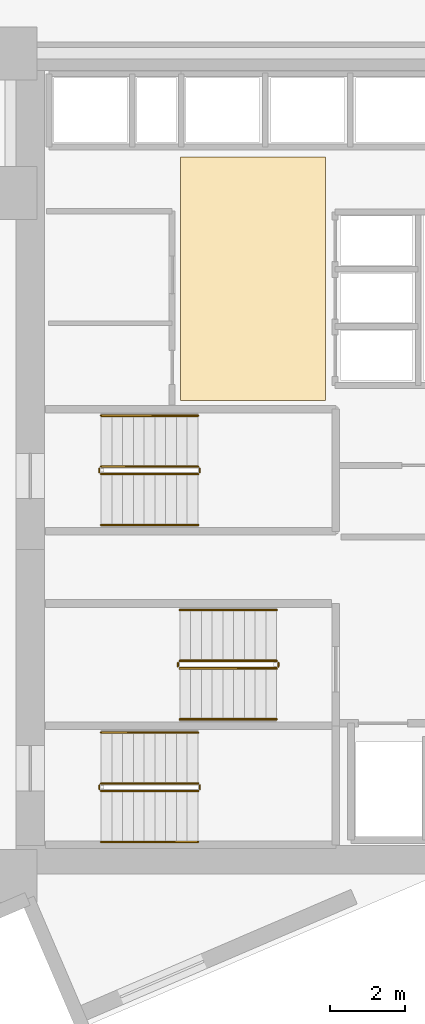
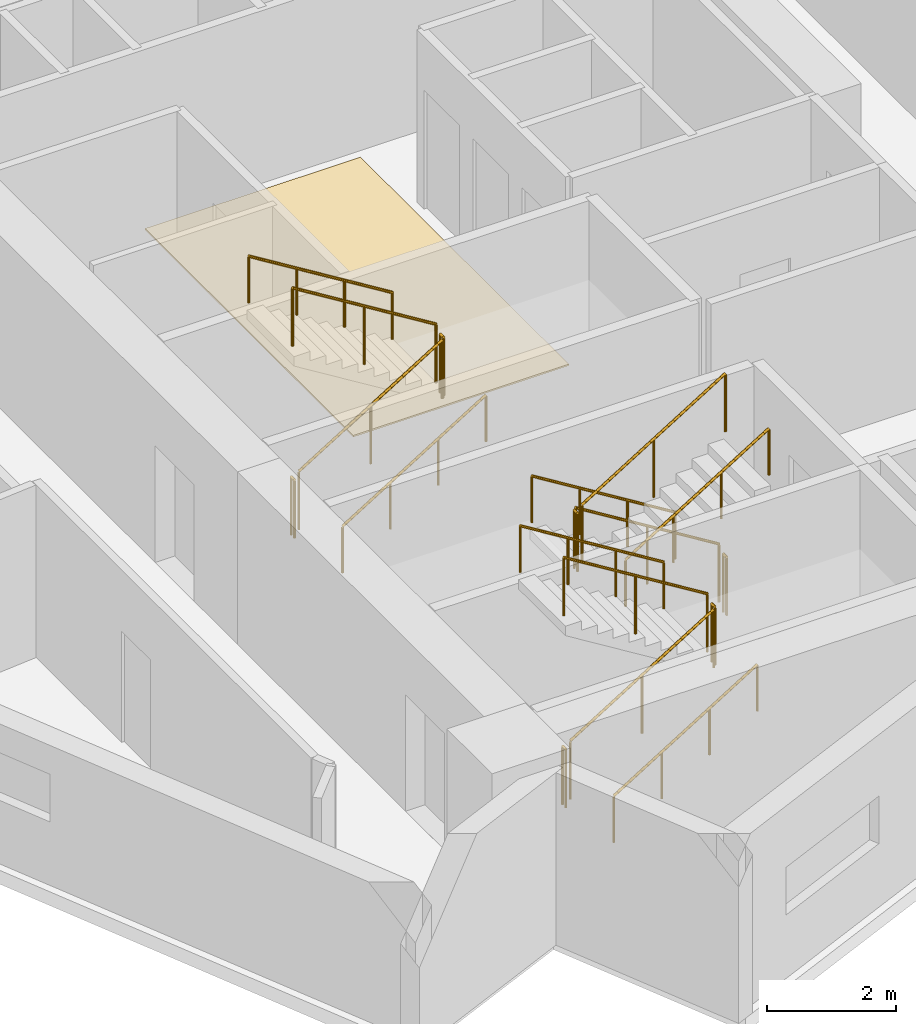
# One storey, part 13 of 14: 18 railings, 1 covering.
"""IFC4 building model written with IfcOpenShell, lengths in metres."""

from ifc_helpers import new_model, si_unit, direction, frame, origin, origin_2d, place, context, subcontext, project, spatial, polyline, circle, outline, extrude, material, layer, layer_set, type_object, element, save


model = new_model("IFC4")

# Units and contexts
model_context = context("Model", 3, precision=1e-05, world=origin(), true_north=direction((0.0, 1.0)))
body_context = subcontext(model_context, "Body", "Model", "MODEL_VIEW")
ifc_project = project(units=[si_unit("LENGTHUNIT", "METRE"), si_unit("AREAUNIT", "SQUARE_METRE"), si_unit("VOLUMEUNIT", "CUBIC_METRE"), si_unit("PLANEANGLEUNIT", "RADIAN"), si_unit("MASSUNIT", "GRAM", prefix="KILO")], contexts=[model_context])

# Site, building, storey
site_placement = place(None, origin())
site = spatial("IfcSite", under=ifc_project, at=site_placement, CompositionType="ELEMENT")
building_placement = place(site_placement, origin())
building = spatial("IfcBuilding", under=site, at=building_placement, Name="Narakoshi Arena Tower", CompositionType="ELEMENT")
storey_placement = place(building_placement, frame((0.0, 0.0, 179.10009765625)))
storey = spatial("IfcBuildingStorey", under=building, at=storey_placement, Name="L48", CompositionType="ELEMENT", Elevation=179.10009765625)

# Covering
ifc_material_1 = material(Name="Honed granite stone paving", Category="masonry")
ifc_layer = layer(ifc_material_1, 0.030029296875)
ifc_layer_set = layer_set([ifc_layer], Name="Honed granite stone paving")
covering_type = type_object("IfcCoveringType", Name="COV-FLR-ST30", PredefinedType="FLOORING", material=ifc_layer_set)
covering_placement = place(storey_placement, origin())
element("IfcCovering", 1, at=covering_placement, inside=storey, type_object=covering_type, Name="L48 Lift Lobby Granite Flooring", PredefinedType="FLOORING", context=body_context, shape_type="SweptSolid", body=[
    extrude(outline(polyline([(76.5, 47.300048828125), (80.35009765625, 47.300048828125), (80.35009765625, 53.75), (76.5, 53.75), (76.5, 47.300048828125)])), origin(), (0.0, 0.0, 1.0), 0.02978515625),
])

# Railings
ifc_material_2 = material(Name="Clear low-iron laminated structural glass", Category="glass")
railing_type_1 = type_object("IfcRailingType", Name="RL-BAL-1100", PredefinedType="BALUSTRADE", material=ifc_material_2)
railing_1_placement = place(storey_placement, frame((74.39990234375, 36.949951171875, 0.17578125)))
element("IfcRailing", 2, at=railing_1_placement, inside=storey, type_object=railing_type_1, Name="L48 ST1 stair guard 1", PredefinedType="BALUSTRADE", context=body_context, shape_type="SweptSolid", body=[
    extrude(circle(Radius=0.02392578125, at=origin_2d()), frame((0.0, 0.0, 1.09619140625), z_axis=(0.850820357671, 0.0, 0.52545667659), x_axis=(0.0, 1.0, 0.0)), (0.0, 0.0, 1.0), 3.014892578125),
    extrude(circle(Radius=0.02099609375, at=origin_2d()), origin(), (0.0, 0.0, 1.0), 1.072021484375),
    extrude(circle(Radius=0.02099609375, at=origin_2d()), frame((1.28271484375, 0.0, 0.7919921875)), (0.0, 0.0, 1.0), 1.072021484375),
    extrude(circle(Radius=0.02099609375, at=origin_2d()), frame((2.565185546875, 0.0, 1.584228515625)), (0.0, 0.0, 1.0), 1.072021484375),
])
railing_2_placement = place(storey_placement, frame((77.014892578125, 37.0, 1.760009765625)))
element("IfcRailing", 3, at=railing_2_placement, inside=storey, type_object=railing_type_1, Name="L48 ST1 stair guard 2", PredefinedType="BALUSTRADE", context=body_context, shape_type="SweptSolid", body=[
    extrude(circle(Radius=0.02392578125, at=origin_2d()), frame((0.0, 0.0, 1.09619140625), z_axis=(0.0, 1.0, 0.0), x_axis=(-1.0, 0.0, 0.0)), (0.0, 0.0, 1.0), 0.10009765625),
    extrude(circle(Radius=0.02099609375, at=origin_2d()), origin(), (0.0, 0.0, 1.0), 1.072021484375),
    extrude(circle(Radius=0.02099609375, at=origin_2d()), frame((0.0, 0.10009765625, 0.0)), (0.0, 0.0, 1.0), 1.072021484375),
])
railing_3_placement = place(storey_placement, frame((76.965087890625, 37.14990234375, 1.935791015625)))
element("IfcRailing", 4, at=railing_3_placement, inside=storey, type_object=railing_type_1, Name="L48 ST1 stair guard 3", PredefinedType="BALUSTRADE", context=body_context, shape_type="SweptSolid", body=[
    extrude(circle(Radius=0.02392578125, at=origin_2d()), frame((0.0, 0.0, 1.09619140625), z_axis=(-0.850820357671, 0.0, 0.52545667659), x_axis=(0.0, -1.0, 0.0)), (0.0, 0.0, 1.0), 3.014892578125),
    extrude(circle(Radius=0.02099609375, at=origin_2d()), origin(), (0.0, 0.0, 1.0), 1.072021484375),
    extrude(circle(Radius=0.02099609375, at=origin_2d()), frame((-1.28271484375, 0.0, 0.7919921875)), (0.0, 0.0, 1.0), 1.072021484375),
    extrude(circle(Radius=0.02099609375, at=origin_2d()), frame((-2.565185546875, 0.0, 1.584228515625)), (0.0, 0.0, 1.0), 1.072021484375),
])
railing_4_placement = place(storey_placement, frame((74.35009765625, 37.0, 0.0)))
element("IfcRailing", 5, at=railing_4_placement, inside=storey, type_object=railing_type_1, Name="L48 ST1 stair guard 4", PredefinedType="BALUSTRADE", context=body_context, shape_type="SweptSolid", body=[
    extrude(circle(Radius=0.02392578125, at=origin_2d()), frame((0.0, 0.0, 1.09619140625), z_axis=(0.0, 1.0, 0.0), x_axis=(-1.0, 0.0, 0.0)), (0.0, 0.0, 1.0), 0.10009765625),
    extrude(circle(Radius=0.02099609375, at=origin_2d()), origin(), (0.0, 0.0, 1.0), 1.072021484375),
    extrude(circle(Radius=0.02099609375, at=origin_2d()), frame((0.0, 0.10009765625, 0.0)), (0.0, 0.0, 1.0), 1.072021484375),
])
railing_5_placement = place(storey_placement, frame((79.050048828125, 40.39990234375, 0.17578125)))
element("IfcRailing", 6, at=railing_5_placement, inside=storey, type_object=railing_type_1, Name="L48 ST2 stair guard 1", PredefinedType="BALUSTRADE", context=body_context, shape_type="SweptSolid", body=[
    extrude(circle(Radius=0.02392578125, at=origin_2d()), frame((0.0, 0.0, 1.09619140625), z_axis=(-0.850797997359, 0.0, 0.525492880722), x_axis=(0.0, -1.0, 0.0)), (0.0, 0.0, 1.0), 3.0146484375),
    extrude(circle(Radius=0.02099609375, at=origin_2d()), origin(), (0.0, 0.0, 1.0), 1.072021484375),
    extrude(circle(Radius=0.02099609375, at=origin_2d()), frame((-1.282470703125, 0.0, 0.7919921875)), (0.0, 0.0, 1.0), 1.072021484375),
    extrude(circle(Radius=0.02099609375, at=origin_2d()), frame((-2.56494140625, 0.0, 1.584228515625)), (0.0, 0.0, 1.0), 1.072021484375),
])
railing_6_placement = place(storey_placement, frame((76.43505859375, 40.35009765625, 1.760009765625)))
element("IfcRailing", 7, at=railing_6_placement, inside=storey, type_object=railing_type_1, Name="L48 ST2 stair guard 2", PredefinedType="BALUSTRADE", context=body_context, shape_type="SweptSolid", body=[
    extrude(circle(Radius=0.02392578125, at=origin_2d()), frame((0.0, 0.0, 1.09619140625), z_axis=(0.0, -1.0, 0.0), x_axis=(1.0, 0.0, 0.0)), (0.0, 0.0, 1.0), 0.10009765625),
    extrude(circle(Radius=0.02099609375, at=origin_2d()), origin(), (0.0, 0.0, 1.0), 1.072021484375),
    extrude(circle(Radius=0.02099609375, at=origin_2d()), frame((0.0, -0.10009765625, 0.0)), (0.0, 0.0, 1.0), 1.072021484375),
])
railing_7_placement = place(storey_placement, frame((76.485107421875, 40.199951171875, 1.935791015625)))
element("IfcRailing", 8, at=railing_7_placement, inside=storey, type_object=railing_type_1, Name="L48 ST2 stair guard 3", PredefinedType="BALUSTRADE", context=body_context, shape_type="SweptSolid", body=[
    extrude(circle(Radius=0.02392578125, at=origin_2d()), frame((0.0, 0.0, 1.09619140625), z_axis=(0.850797997359, 0.0, 0.525492880722), x_axis=(0.0, 1.0, 0.0)), (0.0, 0.0, 1.0), 3.0146484375),
    extrude(circle(Radius=0.02099609375, at=origin_2d()), origin(), (0.0, 0.0, 1.0), 1.072021484375),
    extrude(circle(Radius=0.02099609375, at=origin_2d()), frame((1.282470703125, 0.0, 0.7919921875)), (0.0, 0.0, 1.0), 1.072021484375),
    extrude(circle(Radius=0.02099609375, at=origin_2d()), frame((2.56494140625, 0.0, 1.584228515625)), (0.0, 0.0, 1.0), 1.072021484375),
])
railing_8_placement = place(storey_placement, frame((79.10009765625, 40.35009765625, 0.0)))
element("IfcRailing", 9, at=railing_8_placement, inside=storey, type_object=railing_type_1, Name="L48 ST2 stair guard 4", PredefinedType="BALUSTRADE", context=body_context, shape_type="SweptSolid", body=[
    extrude(circle(Radius=0.02392578125, at=origin_2d()), frame((0.0, 0.0, 1.09619140625), z_axis=(0.0, -1.0, 0.0), x_axis=(1.0, 0.0, 0.0)), (0.0, 0.0, 1.0), 0.10009765625),
    extrude(circle(Radius=0.02099609375, at=origin_2d()), origin(), (0.0, 0.0, 1.0), 1.072021484375),
    extrude(circle(Radius=0.02099609375, at=origin_2d()), frame((0.0, -0.10009765625, 0.0)), (0.0, 0.0, 1.0), 1.072021484375),
])
railing_9_placement = place(storey_placement, frame((74.39990234375, 45.35009765625, 0.17578125)))
element("IfcRailing", 10, at=railing_9_placement, inside=storey, type_object=railing_type_1, Name="L48 ST3 stair guard 1", PredefinedType="BALUSTRADE", context=body_context, shape_type="SweptSolid", body=[
    extrude(circle(Radius=0.02392578125, at=origin_2d()), frame((0.0, 0.0, 1.09619140625), z_axis=(0.850820357671, 0.0, 0.52545667659), x_axis=(0.0, 1.0, 0.0)), (0.0, 0.0, 1.0), 3.014892578125),
    extrude(circle(Radius=0.02099609375, at=origin_2d()), origin(), (0.0, 0.0, 1.0), 1.072021484375),
    extrude(circle(Radius=0.02099609375, at=origin_2d()), frame((1.28271484375, 0.0, 0.7919921875)), (0.0, 0.0, 1.0), 1.072021484375),
    extrude(circle(Radius=0.02099609375, at=origin_2d()), frame((2.565185546875, 0.0, 1.584228515625)), (0.0, 0.0, 1.0), 1.072021484375),
])
railing_10_placement = place(storey_placement, frame((77.014892578125, 45.39990234375, 1.760009765625)))
element("IfcRailing", 11, at=railing_10_placement, inside=storey, type_object=railing_type_1, Name="L48 ST3 stair guard 2", PredefinedType="BALUSTRADE", context=body_context, shape_type="SweptSolid", body=[
    extrude(circle(Radius=0.02392578125, at=origin_2d()), frame((0.0, 0.0, 1.09619140625), z_axis=(0.0, 1.0, 0.0), x_axis=(-1.0, 0.0, 0.0)), (0.0, 0.0, 1.0), 0.10009765625),
    extrude(circle(Radius=0.02099609375, at=origin_2d()), origin(), (0.0, 0.0, 1.0), 1.072021484375),
    extrude(circle(Radius=0.02099609375, at=origin_2d()), frame((0.0, 0.10009765625, 0.0)), (0.0, 0.0, 1.0), 1.072021484375),
])
railing_11_placement = place(storey_placement, frame((76.965087890625, 45.550048828125, 1.935791015625)))
element("IfcRailing", 12, at=railing_11_placement, inside=storey, type_object=railing_type_1, Name="L48 ST3 stair guard 3", PredefinedType="BALUSTRADE", context=body_context, shape_type="SweptSolid", body=[
    extrude(circle(Radius=0.02392578125, at=origin_2d()), frame((0.0, 0.0, 1.09619140625), z_axis=(-0.850820357671, 0.0, 0.52545667659), x_axis=(0.0, -1.0, 0.0)), (0.0, 0.0, 1.0), 3.014892578125),
    extrude(circle(Radius=0.02099609375, at=origin_2d()), origin(), (0.0, 0.0, 1.0), 1.072021484375),
    extrude(circle(Radius=0.02099609375, at=origin_2d()), frame((-1.28271484375, 0.0, 0.7919921875)), (0.0, 0.0, 1.0), 1.072021484375),
    extrude(circle(Radius=0.02099609375, at=origin_2d()), frame((-2.565185546875, 0.0, 1.584228515625)), (0.0, 0.0, 1.0), 1.072021484375),
])
railing_12_placement = place(storey_placement, frame((74.35009765625, 45.39990234375, 0.0)))
element("IfcRailing", 13, at=railing_12_placement, inside=storey, type_object=railing_type_1, Name="L48 ST3 stair guard 4", PredefinedType="BALUSTRADE", context=body_context, shape_type="SweptSolid", body=[
    extrude(circle(Radius=0.02392578125, at=origin_2d()), frame((0.0, 0.0, 1.09619140625), z_axis=(0.0, 1.0, 0.0), x_axis=(-1.0, 0.0, 0.0)), (0.0, 0.0, 1.0), 0.10009765625),
    extrude(circle(Radius=0.02099609375, at=origin_2d()), origin(), (0.0, 0.0, 1.0), 1.072021484375),
    extrude(circle(Radius=0.02099609375, at=origin_2d()), frame((0.0, 0.10009765625, 0.0)), (0.0, 0.0, 1.0), 1.072021484375),
])
ifc_material_3 = material(Name="Brushed bronze stainless steel", Category="steel")
railing_type_2 = type_object("IfcRailingType", Name="RL-HND-900", PredefinedType="HANDRAIL", material=ifc_material_3)
railing_13_placement = place(storey_placement, frame((74.39990234375, 35.60009765625, 0.17578125)))
element("IfcRailing", 14, at=railing_13_placement, inside=storey, type_object=railing_type_2, Name="L48 ST1 stair handrail 1", PredefinedType="HANDRAIL", context=body_context, shape_type="SweptSolid", body=[
    extrude(circle(Radius=0.02392578125, at=origin_2d()), frame((0.0, 0.0, 0.8759765625), z_axis=(0.850820357671, 0.0, 0.52545667659), x_axis=(0.0, 1.0, 0.0)), (0.0, 0.0, 1.0), 3.014892578125),
    extrude(circle(Radius=0.02099609375, at=origin_2d()), origin(), (0.0, 0.0, 1.0), 0.851806640625),
    extrude(circle(Radius=0.02099609375, at=origin_2d()), frame((0.85498046875, 0.0, 0.528076171875)), (0.0, 0.0, 1.0), 0.851806640625),
    extrude(circle(Radius=0.02099609375, at=origin_2d()), frame((1.710205078125, 0.0, 1.05615234375)), (0.0, 0.0, 1.0), 0.851806640625),
    extrude(circle(Radius=0.02099609375, at=origin_2d()), frame((2.565185546875, 0.0, 1.584228515625)), (0.0, 0.0, 1.0), 0.851806640625),
])
railing_14_placement = place(storey_placement, frame((76.965087890625, 38.5, 1.935791015625)))
element("IfcRailing", 15, at=railing_14_placement, inside=storey, type_object=railing_type_2, Name="L48 ST1 stair handrail 2", PredefinedType="HANDRAIL", context=body_context, shape_type="SweptSolid", body=[
    extrude(circle(Radius=0.02392578125, at=origin_2d()), frame((0.0, 0.0, 0.8759765625), z_axis=(-0.850820357671, 0.0, 0.52545667659), x_axis=(0.0, -1.0, 0.0)), (0.0, 0.0, 1.0), 3.014892578125),
    extrude(circle(Radius=0.02099609375, at=origin_2d()), origin(), (0.0, 0.0, 1.0), 0.851806640625),
    extrude(circle(Radius=0.02099609375, at=origin_2d()), frame((-0.85498046875, 0.0, 0.528076171875)), (0.0, 0.0, 1.0), 0.851806640625),
    extrude(circle(Radius=0.02099609375, at=origin_2d()), frame((-1.710205078125, 0.0, 1.05615234375)), (0.0, 0.0, 1.0), 0.851806640625),
    extrude(circle(Radius=0.02099609375, at=origin_2d()), frame((-2.565185546875, 0.0, 1.584228515625)), (0.0, 0.0, 1.0), 0.851806640625),
])
railing_15_placement = place(storey_placement, frame((79.050048828125, 41.75, 0.17578125)))
element("IfcRailing", 16, at=railing_15_placement, inside=storey, type_object=railing_type_2, Name="L48 ST2 stair handrail 1", PredefinedType="HANDRAIL", context=body_context, shape_type="SweptSolid", body=[
    extrude(circle(Radius=0.02392578125, at=origin_2d()), frame((0.0, 0.0, 0.8759765625), z_axis=(-0.850797997359, 0.0, 0.525492880722), x_axis=(0.0, -1.0, 0.0)), (0.0, 0.0, 1.0), 3.0146484375),
    extrude(circle(Radius=0.02099609375, at=origin_2d()), origin(), (0.0, 0.0, 1.0), 0.851806640625),
    extrude(circle(Radius=0.02099609375, at=origin_2d()), frame((-0.85498046875, 0.0, 0.528076171875)), (0.0, 0.0, 1.0), 0.851806640625),
    extrude(circle(Radius=0.02099609375, at=origin_2d()), frame((-1.7099609375, 0.0, 1.05615234375)), (0.0, 0.0, 1.0), 0.851806640625),
    extrude(circle(Radius=0.02099609375, at=origin_2d()), frame((-2.56494140625, 0.0, 1.584228515625)), (0.0, 0.0, 1.0), 0.851806640625),
])
railing_16_placement = place(storey_placement, frame((76.485107421875, 38.85009765625, 1.935791015625)))
element("IfcRailing", 17, at=railing_16_placement, inside=storey, type_object=railing_type_2, Name="L48 ST2 stair handrail 2", PredefinedType="HANDRAIL", context=body_context, shape_type="SweptSolid", body=[
    extrude(circle(Radius=0.02392578125, at=origin_2d()), frame((0.0, 0.0, 0.8759765625), z_axis=(0.850797997359, 0.0, 0.525492880722), x_axis=(0.0, 1.0, 0.0)), (0.0, 0.0, 1.0), 3.0146484375),
    extrude(circle(Radius=0.02099609375, at=origin_2d()), origin(), (0.0, 0.0, 1.0), 0.851806640625),
    extrude(circle(Radius=0.02099609375, at=origin_2d()), frame((0.85498046875, 0.0, 0.528076171875)), (0.0, 0.0, 1.0), 0.851806640625),
    extrude(circle(Radius=0.02099609375, at=origin_2d()), frame((1.7099609375, 0.0, 1.05615234375)), (0.0, 0.0, 1.0), 0.851806640625),
    extrude(circle(Radius=0.02099609375, at=origin_2d()), frame((2.56494140625, 0.0, 1.584228515625)), (0.0, 0.0, 1.0), 0.851806640625),
])
railing_17_placement = place(storey_placement, frame((74.39990234375, 44.0, 0.17578125)))
element("IfcRailing", 18, at=railing_17_placement, inside=storey, type_object=railing_type_2, Name="L48 ST3 stair handrail 1", PredefinedType="HANDRAIL", context=body_context, shape_type="SweptSolid", body=[
    extrude(circle(Radius=0.02392578125, at=origin_2d()), frame((0.0, 0.0, 0.8759765625), z_axis=(0.850820357671, 0.0, 0.52545667659), x_axis=(0.0, 1.0, 0.0)), (0.0, 0.0, 1.0), 3.014892578125),
    extrude(circle(Radius=0.02099609375, at=origin_2d()), origin(), (0.0, 0.0, 1.0), 0.851806640625),
    extrude(circle(Radius=0.02099609375, at=origin_2d()), frame((0.85498046875, 0.0, 0.528076171875)), (0.0, 0.0, 1.0), 0.851806640625),
    extrude(circle(Radius=0.02099609375, at=origin_2d()), frame((1.710205078125, 0.0, 1.05615234375)), (0.0, 0.0, 1.0), 0.851806640625),
    extrude(circle(Radius=0.02099609375, at=origin_2d()), frame((2.565185546875, 0.0, 1.584228515625)), (0.0, 0.0, 1.0), 0.851806640625),
])
railing_18_placement = place(storey_placement, frame((76.965087890625, 46.89990234375, 1.935791015625)))
element("IfcRailing", 19, at=railing_18_placement, inside=storey, type_object=railing_type_2, Name="L48 ST3 stair handrail 2", PredefinedType="HANDRAIL", context=body_context, shape_type="SweptSolid", body=[
    extrude(circle(Radius=0.02392578125, at=origin_2d()), frame((0.0, 0.0, 0.8759765625), z_axis=(-0.850820357671, 0.0, 0.52545667659), x_axis=(0.0, -1.0, 0.0)), (0.0, 0.0, 1.0), 3.014892578125),
    extrude(circle(Radius=0.02099609375, at=origin_2d()), origin(), (0.0, 0.0, 1.0), 0.851806640625),
    extrude(circle(Radius=0.02099609375, at=origin_2d()), frame((-0.85498046875, 0.0, 0.528076171875)), (0.0, 0.0, 1.0), 0.851806640625),
    extrude(circle(Radius=0.02099609375, at=origin_2d()), frame((-1.710205078125, 0.0, 1.05615234375)), (0.0, 0.0, 1.0), 0.851806640625),
    extrude(circle(Radius=0.02099609375, at=origin_2d()), frame((-2.565185546875, 0.0, 1.584228515625)), (0.0, 0.0, 1.0), 0.851806640625),
])

save(model, "model.ifc")
